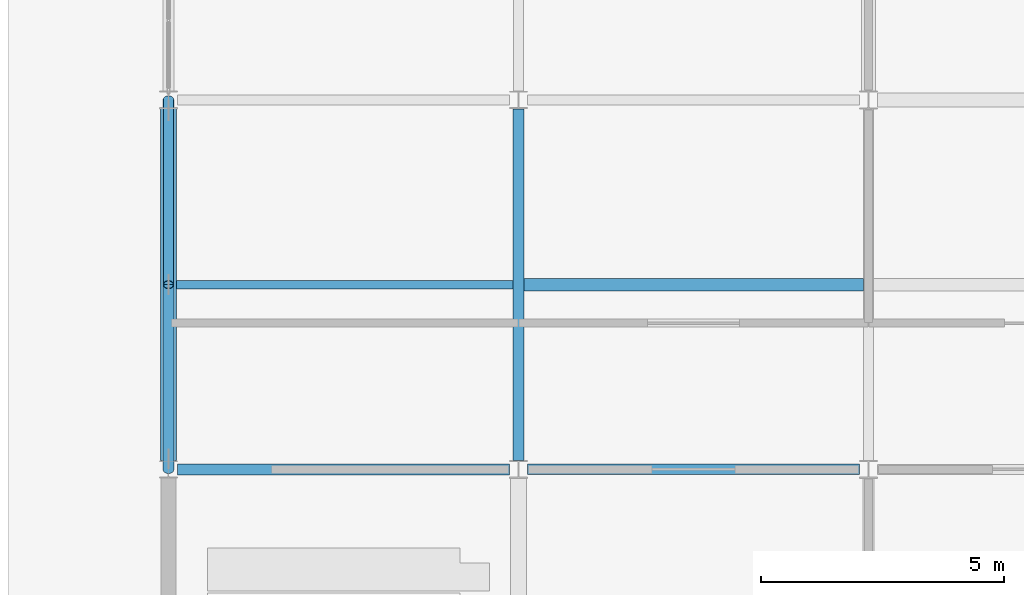
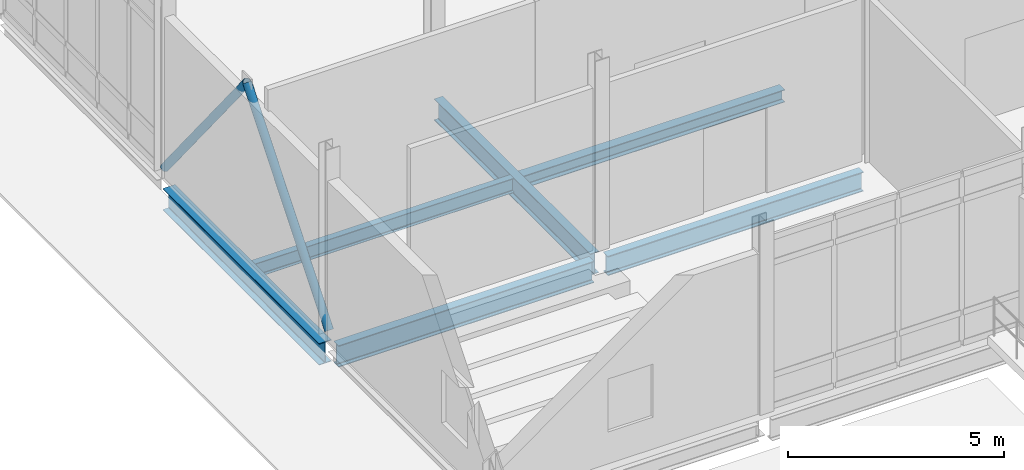
# One storey, part 28 of 229: 6 beams, 2 members.
"""IFC4 building model written with IfcOpenShell, lengths in metres."""

import ifcopenshell
import ifcopenshell.guid

model = None  # the IFC model being written
_history = None  # IfcOwnerHistory: only IFC2X3 demands one
_inside = {}  # id of a spatial element -> (the spatial element, [elements in it])
_under = {}  # id of a project, library or spatial element -> (it, [spatial elements below it])
_declared = {}  # id of a project -> (the project, [libraries it declares])
_typed = {}  # id of a type object -> (the type object, [elements of that type])
_made_of = {}  # id of a material, layer set ... -> (it, [elements and type objects made of it])


def new_model(schema):
    """Start an empty IFC model of exactly this schema.

    Asked for "IFC4X3", IfcOpenShell would pick the latest addendum, in which some entities
    have other attributes; the version numbers below select the first issue.
    IFC2X3 requires an IfcOwnerHistory on every rooted entity: one is made here for all.
    """
    global model, _history
    if schema == "IFC4X3":
        model = ifcopenshell.file(schema_version=(4, 3, 0, 0))
    else:
        model = ifcopenshell.file(schema=schema)
    _inside.clear()
    _under.clear()
    _declared.clear()
    _typed.clear()
    _made_of.clear()
    _history = None
    if model.schema == "IFC2X3":
        org = make("IfcOrganization", Name="unknown")
        user = make(
            "IfcPersonAndOrganization",
            ThePerson=make("IfcPerson", FamilyName="unknown"),
            TheOrganization=org,
        )
        app = make(
            "IfcApplication",
            ApplicationDeveloper=org,
            Version="unknown",
            ApplicationFullName="unknown",
            ApplicationIdentifier="unknown",
        )
        _history = make(
            "IfcOwnerHistory",
            OwningUser=user,
            OwningApplication=app,
            ChangeAction="ADDED",
            CreationDate=0,
        )
    return model


def make(cls, **values):
    """One entity of the class cls with the attributes given. An attribute that is None is left unset."""
    return model.create_entity(
        cls, **{name: value for name, value in values.items() if value is not None}
    )


def rooted(cls, **values):
    """An entity with a GlobalId (a new one), such as an element, a storey or a relation."""
    return make(cls, GlobalId=ifcopenshell.guid.new(), OwnerHistory=_history, **values)


def si_unit(unit_type, name, prefix=None):
    """IfcSIUnit, for example si_unit("LENGTHUNIT", "METRE", prefix="MILLI")."""
    return make("IfcSIUnit", UnitType=unit_type, Prefix=prefix, Name=name)


def assignment(units):
    """IfcUnitAssignment: the units of a project."""
    return None if units is None else make("IfcUnitAssignment", Units=units)


def point(xyz):
    """IfcCartesianPoint."""
    return None if xyz is None else make("IfcCartesianPoint", Coordinates=xyz)


def direction(xyz):
    """IfcDirection."""
    return None if xyz is None else make("IfcDirection", DirectionRatios=xyz)


def frame(location, z_axis=None, x_axis=None):
    """IfcAxis2Placement3D, a coordinate frame: its origin and axes. An axis left out is left unset."""
    return make(
        "IfcAxis2Placement3D",
        Location=point(location),
        Axis=direction(z_axis),
        RefDirection=direction(x_axis),
    )


def frame_2d(location, x_axis=None):
    """IfcAxis2Placement2D, a coordinate frame in the plane: its origin and x axis."""
    return make(
        "IfcAxis2Placement2D", Location=point(location), RefDirection=direction(x_axis)
    )


def origin():
    """The frame at (0, 0, 0) with its axes left unset."""
    return frame((0.0, 0.0, 0.0))


def origin_2d():
    """The frame at (0, 0) in the plane with its x axis left unset."""
    return frame_2d((0.0, 0.0))


def place(relative_to, where):
    """IfcLocalPlacement: puts the frame where relative to a parent placement (None: the world)."""
    return make(
        "IfcLocalPlacement", PlacementRelTo=relative_to, RelativePlacement=where
    )


def context(
    kind, dimensions, precision=None, world=None, true_north=None, identifier=None
):
    """IfcGeometricRepresentationContext, for example the 3D "Model" context."""
    return make(
        "IfcGeometricRepresentationContext",
        ContextIdentifier=identifier,
        ContextType=kind,
        CoordinateSpaceDimension=dimensions,
        Precision=precision,
        WorldCoordinateSystem=world,
        TrueNorth=true_north,
    )


def subcontext(parent, identifier, kind, view, scale=None):
    """IfcGeometricRepresentationSubContext, for example "Body" below "Model"."""
    return make(
        "IfcGeometricRepresentationSubContext",
        ContextIdentifier=identifier,
        ContextType=kind,
        ParentContext=parent,
        TargetScale=scale,
        TargetView=view,
    )


def project(units=None, contexts=None):
    """IfcProject with its units and contexts."""
    return rooted(
        "IfcProject",
        Name="project",
        RepresentationContexts=contexts,
        UnitsInContext=assignment(units),
    )


def spatial(cls, under=None, at=None, **own):
    """A site, building, storey or space (cls), placed at a placement, below another one or the project."""
    s = rooted(cls, ObjectPlacement=at, **own)
    if under is not None:
        _under.setdefault(under.id(), (under, []))[1].append(s)
    return s


def profile(cls, at=None, kind="AREA", **sizes):
    """A parametric profile (cls). Its sizes go by their IFC names, for example OverallWidth=200.0."""
    return make(cls, ProfileType=kind, Position=at, **sizes)


def hollow_circle(**sizes):
    """IfcCircleHollowProfileDef."""
    return profile("IfcCircleHollowProfileDef", **sizes)


def i_section(**sizes):
    """IfcIShapeProfileDef."""
    return profile("IfcIShapeProfileDef", **sizes)


def extrude(swept, where, along, depth):
    """IfcExtrudedAreaSolid: the profile swept, set in the frame where, extruded along a direction by depth."""
    return make(
        "IfcExtrudedAreaSolid",
        SweptArea=swept,
        Position=where,
        ExtrudedDirection=direction(along),
        Depth=depth,
    )


def shape(context_of_items, identifier, shape_type, items):
    """IfcShapeRepresentation: the items that make up one representation, for example the "Body"."""
    return make(
        "IfcShapeRepresentation",
        ContextOfItems=context_of_items,
        RepresentationIdentifier=identifier,
        RepresentationType=shape_type,
        Items=items,
    )


def material(Name=None, Category=None):
    """IfcMaterial."""
    return make("IfcMaterial", Name=Name, Category=Category)


def material_profile(
    of_material, cross_section, Name=None, Category=None, Priority=None
):
    """IfcMaterialProfile: a cross section and its material."""
    return make(
        "IfcMaterialProfile",
        Name=Name,
        Material=of_material,
        Profile=cross_section,
        Priority=Priority,
        Category=Category,
    )


def profile_set(profiles, Name=None, composite=None):
    """IfcMaterialProfileSet."""
    return make(
        "IfcMaterialProfileSet",
        Name=Name,
        MaterialProfiles=profiles,
        CompositeProfile=composite,
    )


def made_of(thing, what):
    """Note that an element or type object is made of a material, layer set ...; save() writes the relation."""
    if what is not None:
        _made_of.setdefault(what.id(), (what, []))[1].append(thing)
    return thing


def type_object(cls, material=None, **own):
    """A type object (cls), such as IfcWallType, which elements share."""
    return made_of(rooted(cls, **own), material)


def element(
    cls,
    number,
    at=None,
    inside=None,
    cuts=None,
    type_object=None,
    material=None,
    context=None,
    identifier="Body",
    shape_type=None,
    held_by="IfcProductDefinitionShape",
    body=None,
    shapes=None,
    **own,
):
    """One element of the class cls, such as IfcWall. Its Tag is "e" and its number.

    at: its placement. inside: the storey or other place that contains it. cuts: it is an
    opening in that element (IfcRelVoidsElement). A single representation is given by context,
    identifier, shape_type and body (its items); several are given by shapes. held_by: the class
    of the entity that holds the representations. save() writes the other relations.
    """
    e = rooted(cls, Tag="e%d" % number, ObjectPlacement=at, **own)
    if body is not None:
        shapes = [shape(context, identifier, shape_type, body)]
    if shapes is not None:
        e.Representation = make(held_by, Representations=shapes)
    if inside is not None:
        _inside.setdefault(inside.id(), (inside, []))[1].append(e)
    if cuts is not None:
        rooted(
            "IfcRelVoidsElement", RelatingBuildingElement=cuts, RelatedOpeningElement=e
        )
    if type_object is not None:
        _typed.setdefault(type_object.id(), (type_object, []))[1].append(e)
    return made_of(e, material)


def aggregate(whole, parts):
    """IfcRelAggregates: a whole, such as a stair, and the parts it consists of."""
    return rooted("IfcRelAggregates", RelatingObject=whole, RelatedObjects=parts)


def save(model, path):
    """Write the relations noted so far, then the file.

    IfcRelAggregates (storeys below a building ...), IfcRelContainedInSpatialStructure (elements
    in a storey), IfcRelDefinesByType, IfcRelAssociatesMaterial and IfcRelDeclares: one each for
    every whole, place, type object, material and project.
    """
    for whole, parts in _under.values():
        aggregate(whole, parts)
    for where, things in _inside.values():
        rooted(
            "IfcRelContainedInSpatialStructure",
            RelatedElements=things,
            RelatingStructure=where,
        )
    for kind, things in _typed.values():
        rooted("IfcRelDefinesByType", RelatedObjects=things, RelatingType=kind)
    for what, things in _made_of.values():
        rooted("IfcRelAssociatesMaterial", RelatedObjects=things, RelatingMaterial=what)
    for by, libraries in _declared.values():
        rooted("IfcRelDeclares", RelatingContext=by, RelatedDefinitions=libraries)
    model.write(path)


model = new_model("IFC4")

# Units and contexts
model_context = context("Model", 3, precision=1e-05, world=origin(), true_north=direction((0.0, 1.0)))
body_context = subcontext(model_context, "Body", "Model", "MODEL_VIEW")
ifc_project = project(units=[si_unit("LENGTHUNIT", "METRE"), si_unit("AREAUNIT", "SQUARE_METRE"), si_unit("VOLUMEUNIT", "CUBIC_METRE"), si_unit("PLANEANGLEUNIT", "RADIAN"), si_unit("MASSUNIT", "GRAM", prefix="KILO")], contexts=[model_context])

# Site, building, storey
site_placement = place(None, origin())
site = spatial("IfcSite", under=ifc_project, at=site_placement, CompositionType="ELEMENT")
building_placement = place(site_placement, origin())
building = spatial("IfcBuilding", under=site, at=building_placement, Name="Calvrana Isthmian Art Gallery", CompositionType="ELEMENT")
storey_placement = place(building_placement, origin())
storey = spatial("IfcBuildingStorey", under=building, at=storey_placement, Name="L00", CompositionType="ELEMENT", Elevation=0.0)

# Beams
ifc_material_1 = material(Name="Steel ASTM A992 Gr 50", Category="steel")
ifc_material_profile_1 = material_profile(ifc_material_1, i_section(OverallWidth=0.214111328125, OverallDepth=0.549072265625, WebThickness=0.0146484375, FlangeThickness=0.023681640625, FilletRadius=0.02099609375, at=origin_2d()), Name="W21X93")
ifc_profile_set_1 = profile_set([ifc_material_profile_1], Name="Steel ASTM A992 Gr 50")
beam_type_1 = type_object("IfcBeamType", Name="BM-G-W21X93", PredefinedType="BEAM", material=ifc_profile_set_1)
beam_1_placement = place(storey_placement, frame((7.386474609375, 54.39990234375, -0.5595703125), z_axis=(1.0, 0.0, 0.0), x_axis=(0.0, 1.0, 0.0)))
element("IfcBeam", 1, at=beam_1_placement, inside=storey, type_object=beam_type_1, Name="Girder X L00 02-03/H", PredefinedType="BEAM", context=body_context, shape_type="SweptSolid", body=[
    extrude(i_section(OverallWidth=0.214111328125, OverallDepth=0.549072265625, WebThickness=0.0146484375, FlangeThickness=0.023681640625, FilletRadius=0.02099609375, at=origin_2d()), origin(), (0.0, 0.0, 1.0), 6.828125),
])
ifc_material_profile_2 = material_profile(ifc_material_1, i_section(OverallWidth=0.324951171875, OverallDepth=0.612060546875, WebThickness=0.0126953125, FlangeThickness=0.01904296875, FilletRadius=0.02197265625, at=origin_2d()), Name="W24X104")
ifc_profile_set_2 = profile_set([ifc_material_profile_2], Name="Steel ASTM A992 Gr 50")
beam_type_2 = type_object("IfcBeamType", Name="BM-G-W24X104", PredefinedType="BEAM", material=ifc_profile_set_2)
beam_2_placement = place(storey_placement, frame((0.0, 54.58642578125, -0.591064453125), z_axis=(0.0, 1.0, 0.0), x_axis=(-1.0, 0.0, 0.0)))
element("IfcBeam", 2, at=beam_2_placement, inside=storey, type_object=beam_type_2, Name="Girder Y L00 01/H-I", PredefinedType="BEAM", context=body_context, shape_type="SweptSolid", body=[
    extrude(i_section(OverallWidth=0.324951171875, OverallDepth=0.612060546875, WebThickness=0.0126953125, FlangeThickness=0.01904296875, FilletRadius=0.02197265625, at=origin_2d()), origin(), (0.0, 0.0, 1.0), 7.235595703125),
])
ifc_material_profile_3 = material_profile(ifc_material_1, i_section(OverallWidth=0.22802734375, OverallDepth=0.60693359375, WebThickness=0.01123046875, FlangeThickness=0.017333984375, FilletRadius=0.02197265625, at=origin_2d()), Name="W24X76")
ifc_profile_set_3 = profile_set([ifc_material_profile_3], Name="Steel ASTM A992 Gr 50")
beam_type_3 = type_object("IfcBeamType", Name="BM-G-W24X76", PredefinedType="BEAM", material=ifc_profile_set_3)
beam_3_placement = place(storey_placement, frame((0.1865234375, 54.39990234375, -0.58837890625), z_axis=(1.0, 0.0, 0.0), x_axis=(0.0, 1.0, 0.0)))
element("IfcBeam", 3, at=beam_3_placement, inside=storey, type_object=beam_type_3, Name="Girder X L00 01-02/H", PredefinedType="BEAM", context=body_context, shape_type="SweptSolid", body=[
    extrude(i_section(OverallWidth=0.22802734375, OverallDepth=0.60693359375, WebThickness=0.01123046875, FlangeThickness=0.017333984375, FilletRadius=0.02197265625, at=origin_2d()), origin(), (0.0, 0.0, 1.0), 6.826904296875),
])
beam_4_placement = place(storey_placement, frame((7.199951171875, 54.583984375, -0.58837890625), z_axis=(0.0, 1.0, 0.0), x_axis=(-1.0, 0.0, 0.0)))
element("IfcBeam", 4, at=beam_4_placement, inside=storey, type_object=beam_type_3, Name="Girder Y L00 02/H-I", PredefinedType="BEAM", context=body_context, shape_type="SweptSolid", body=[
    extrude(i_section(OverallWidth=0.22802734375, OverallDepth=0.60693359375, WebThickness=0.01123046875, FlangeThickness=0.017333984375, FilletRadius=0.02197265625, at=origin_2d()), origin(), (0.0, 0.0, 1.0), 7.2294921875),
])
ifc_material_profile_4 = material_profile(ifc_material_1, i_section(OverallWidth=0.25390625, OverallDepth=0.35302734375, WebThickness=0.009521484375, FlangeThickness=0.016357421875, FilletRadius=0.01806640625, at=origin_2d()), Name="W14X61")
ifc_profile_set_4 = profile_set([ifc_material_profile_4], Name="Steel ASTM A992 Gr 50")
beam_type_4 = type_object("IfcBeamType", Name="BM-J-W14X61", PredefinedType="JOIST", material=ifc_profile_set_4)
beam_5_placement = place(storey_placement, frame((7.31396484375, 58.199951171875, -0.46142578125), z_axis=(1.0, 0.0, 0.0), x_axis=(0.0, 1.0, 0.0)))
element("IfcBeam", 5, at=beam_5_placement, inside=storey, type_object=beam_type_4, Name="Composite joist L00 bay 01-07", PredefinedType="JOIST", context=body_context, shape_type="SweptSolid", body=[
    extrude(i_section(OverallWidth=0.25390625, OverallDepth=0.35302734375, WebThickness=0.009521484375, FlangeThickness=0.016357421875, FilletRadius=0.01806640625, at=origin_2d()), origin(), (0.0, 0.0, 1.0), 6.9814453125),
])
ifc_material_profile_5 = material_profile(ifc_material_1, i_section(OverallWidth=0.177978515625, OverallDepth=0.404052734375, WebThickness=0.007568359375, FlangeThickness=0.010986328125, FilletRadius=0.01806640625, at=origin_2d()), Name="W16X36")
ifc_profile_set_5 = profile_set([ifc_material_profile_5], Name="Steel ASTM A992 Gr 50")
beam_type_5 = type_object("IfcBeamType", Name="BM-J-W16X36", PredefinedType="JOIST", material=ifc_profile_set_5)
beam_6_placement = place(storey_placement, frame((0.16259765625, 58.199951171875, -0.487060546875), z_axis=(1.0, 0.0, 0.0), x_axis=(0.0, 1.0, 0.0)))
element("IfcBeam", 6, at=beam_6_placement, inside=storey, type_object=beam_type_5, Name="Composite joist L00 bay 00-07", PredefinedType="JOIST", context=body_context, shape_type="SweptSolid", body=[
    extrude(i_section(OverallWidth=0.177978515625, OverallDepth=0.404052734375, WebThickness=0.007568359375, FlangeThickness=0.010986328125, FilletRadius=0.01806640625, at=origin_2d()), origin(), (0.0, 0.0, 1.0), 6.92333984375),
])

# Members
ifc_material_2 = material(Name="Steel ASTM A500 Gr C", Category="steel")
ifc_material_profile_6 = material_profile(ifc_material_2, hollow_circle(Radius=0.109619140625, WallThickness=0.0126953125, at=origin_2d()), Name="HSS219.1X12.7")
ifc_profile_set_6 = profile_set([ifc_material_profile_6], Name="Steel ASTM A500 Gr C")
member_type = type_object("IfcMemberType", Name="MB-BR-CHS219", PredefinedType="BRACE", material=ifc_profile_set_6)
for number, where, z_axis, x_axis, name in (
    (7, (0.0, 54.39990234375, 0.14990234375), (0.0, 0.628592760551, 0.777734621438), (-1.0, 0.0, 0.0), "Chevron lateral brace L00-17A"),
    (8, (0.0, 62.0, 0.14990234375), (0.0, -0.628592760551, 0.777734621438), (1.0, 0.0, 0.0), "Chevron lateral brace L00-17B"),
):
    element("IfcMember", number, at=place(storey_placement, frame(where, z_axis=z_axis, x_axis=x_axis)), inside=storey, type_object=member_type, Name=name, PredefinedType="BRACE", context=body_context, shape_type="SweptSolid", body=[
        extrude(hollow_circle(Radius=0.109619140625, WallThickness=0.0126953125, at=origin_2d()), origin(), (0.0, 0.0, 1.0), 6.04541015625),
    ])

save(model, "model.ifc")
